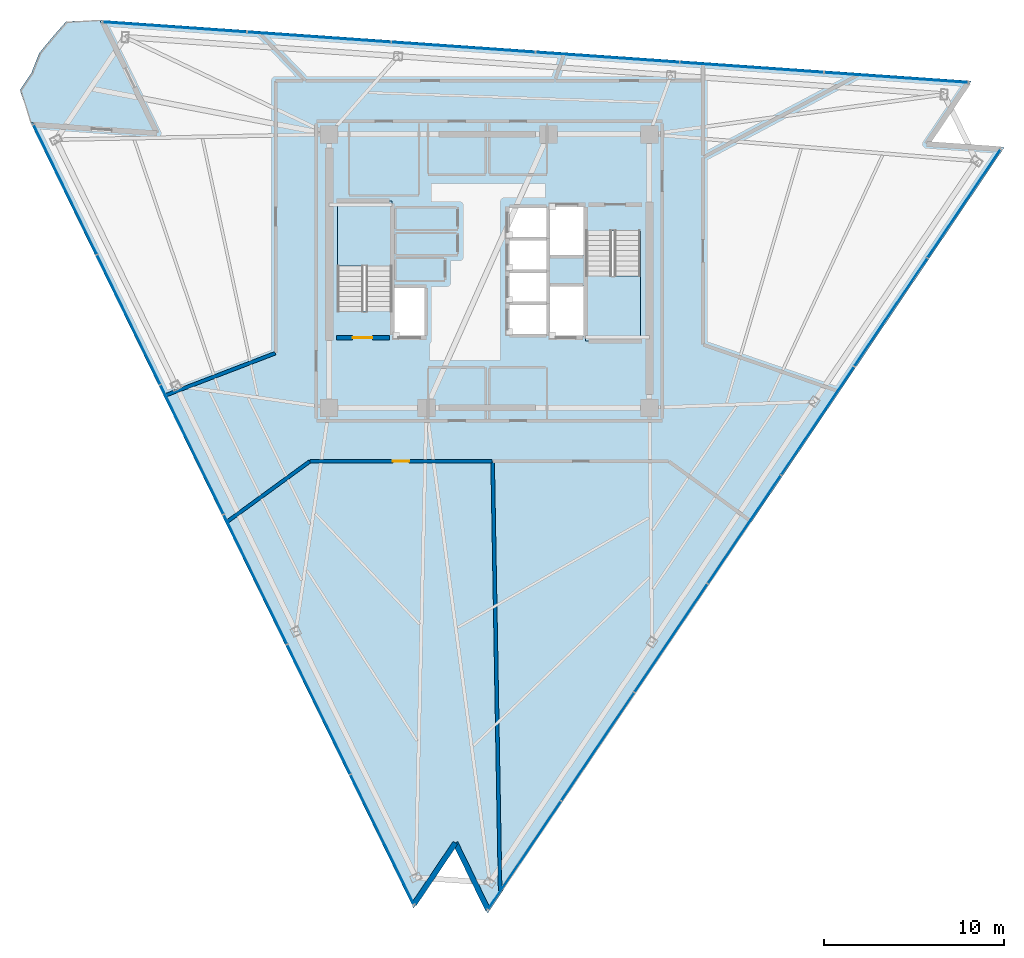
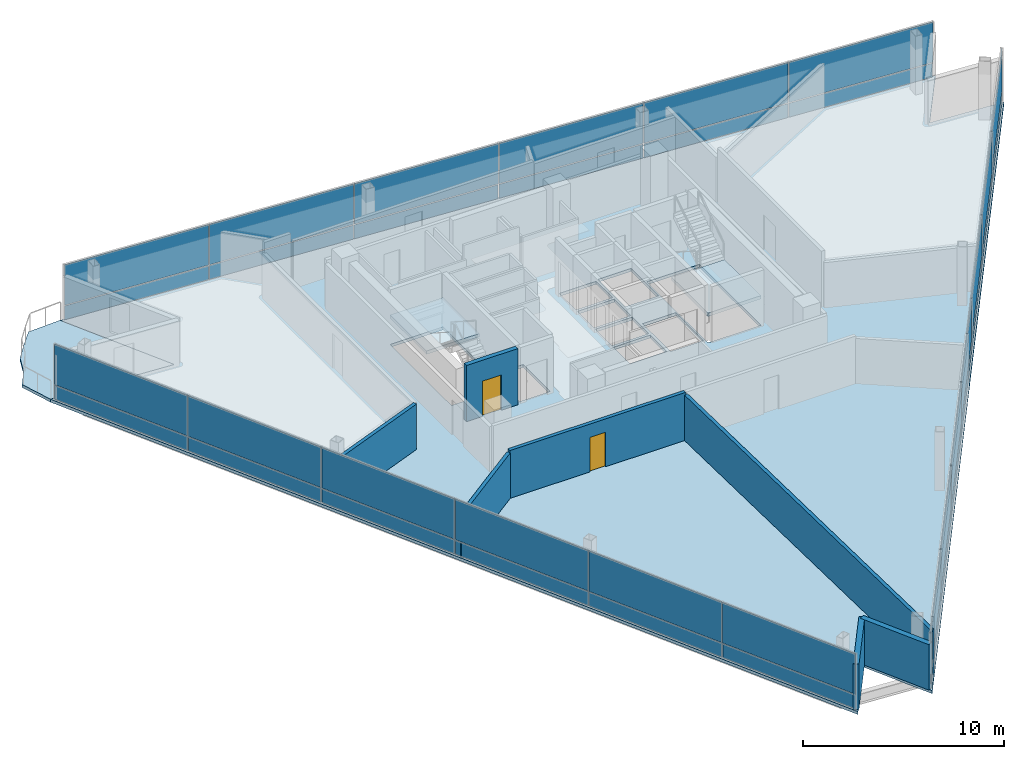
# One storey, part 8 of 14: 38 plates, 7 walls, 4 slabs, 2 doors, 2 openings, 5 elements without a shape of their own.
"""IFC4 building model written with IfcOpenShell, lengths in metres."""

from ifc_helpers import new_model, si_unit, direction, frame, frame_2d, origin, origin_2d, place, context, subcontext, project, spatial, polyline, rectangle, outline, extrude, material, layer, layer_set, type_object, element, fill, aggregate, save


model = new_model("IFC4")

# Units and contexts
model_context = context("Model", 3, precision=1e-05, world=origin(), true_north=direction((0.0, 1.0)))
body_context = subcontext(model_context, "Body", "Model", "MODEL_VIEW")
ifc_project = project(units=[si_unit("LENGTHUNIT", "METRE"), si_unit("AREAUNIT", "SQUARE_METRE"), si_unit("VOLUMEUNIT", "CUBIC_METRE"), si_unit("PLANEANGLEUNIT", "RADIAN"), si_unit("MASSUNIT", "GRAM", prefix="KILO")], contexts=[model_context])

# Site, building, storey
site_placement = place(None, origin())
site = spatial("IfcSite", under=ifc_project, at=site_placement, CompositionType="ELEMENT")
building_placement = place(site_placement, origin())
building = spatial("IfcBuilding", under=site, at=building_placement, Name="Tharavind Bronze Gate", CompositionType="ELEMENT")
storey_placement = place(building_placement, frame((0.0, 0.0, 241.449951171875)))
storey = spatial("IfcBuildingStorey", under=building, at=storey_placement, Name="L62", CompositionType="ELEMENT", Elevation=241.449951171875)

# Curtain wall, plates
ifc_material_1 = material(Name="Anodised Bronze Aluminium", Category="aluminium")
ifc_layer_1 = layer(ifc_material_1, 0.219970703125)
ifc_layer_set_1 = layer_set([ifc_layer_1], Name="Anodised Bronze Aluminium")
curtain_wall_type = type_object("IfcCurtainWallType", Name="UNITISED CURTAIN WALL UPPER OFFICE", PredefinedType="USERDEFINED", material=ifc_layer_set_1)
curtain_wall_1_placement = place(storey_placement, origin())
curtain_wall_1 = element("IfcCurtainWall", 1, at=curtain_wall_1_placement, inside=storey, type_object=curtain_wall_type, Name="L62 unitised curtain wall upper office CW-L62-S1", ObjectType="UNITISED CURTAIN WALL", PredefinedType="USERDEFINED")
ifc_material_2 = material(Name="Patinated Bronze Alloy Sheet", Category="bronze")
ifc_layer_2 = layer(ifc_material_2, 0.01611328125)
ifc_layer_set_2 = layer_set([ifc_layer_2], Name="Patinated Bronze Alloy Sheet")
plate_type_1 = type_object("IfcPlateType", Name="BRONZE SPANDREL CLADDING PANEL 16", PredefinedType="CURTAIN_PANEL", material=ifc_layer_set_2)
plate_1_placement = place(storey_placement, frame((-23.5751953125, 4.5283203125, 0.0263671875), z_axis=(0.0, 0.0, 1.0), x_axis=(0.438371146789, -0.898794046299, 0.0)))
plate_1 = element("IfcPlate", 2, at=plate_1_placement, type_object=plate_type_1, Name="CW-L62-S1 bronze spandrel panel 1", PredefinedType="CURTAIN_PANEL", context=body_context, shape_type="SweptSolid", body=[
    extrude(rectangle(XDim=7.985107421875, YDim=0.01611328125, at=origin_2d()), origin(), (0.0, 0.0, 1.0), 0.846923828125),
])
plate_2_placement = place(storey_placement, frame((-20.051513671875, -2.696044921875, 0.0263671875), z_axis=(0.0, 0.0, 1.0), x_axis=(0.438371146789, -0.898794046299, 0.0)))
plate_2 = element("IfcPlate", 3, at=plate_2_placement, type_object=plate_type_1, Name="CW-L62-S1 bronze spandrel panel 2", PredefinedType="CURTAIN_PANEL", context=body_context, shape_type="SweptSolid", body=[
    extrude(rectangle(XDim=7.985107421875, YDim=0.01611328125, at=origin_2d()), origin(), (0.0, 0.0, 1.0), 0.846923828125),
])
plate_3_placement = place(storey_placement, frame((-16.528076171875, -9.920654296875, 0.0263671875), z_axis=(0.0, 0.0, 1.0), x_axis=(0.438371146789, -0.898794046299, 0.0)))
plate_3 = element("IfcPlate", 4, at=plate_3_placement, type_object=plate_type_1, Name="CW-L62-S1 bronze spandrel panel 3", PredefinedType="CURTAIN_PANEL", context=body_context, shape_type="SweptSolid", body=[
    extrude(rectangle(XDim=7.985107421875, YDim=0.01611328125, at=origin_2d()), origin(), (0.0, 0.0, 1.0), 0.846923828125),
])
plate_4_placement = place(storey_placement, frame((-13.00439453125, -17.145263671875, 0.0263671875), z_axis=(0.0, 0.0, 1.0), x_axis=(0.438371146789, -0.898794046299, 0.0)))
plate_4 = element("IfcPlate", 5, at=plate_4_placement, type_object=plate_type_1, Name="CW-L62-S1 bronze spandrel panel 4", PredefinedType="CURTAIN_PANEL", context=body_context, shape_type="SweptSolid", body=[
    extrude(rectangle(XDim=7.985107421875, YDim=0.01611328125, at=origin_2d()), origin(), (0.0, 0.0, 1.0), 0.846923828125),
])
plate_5_placement = place(storey_placement, frame((-9.480712890625, -24.36962890625, 0.0263671875), z_axis=(0.0, 0.0, 1.0), x_axis=(0.438371146789, -0.898794046299, 0.0)))
plate_5 = element("IfcPlate", 6, at=plate_5_placement, type_object=plate_type_1, Name="CW-L62-S1 bronze spandrel panel 5", PredefinedType="CURTAIN_PANEL", context=body_context, shape_type="SweptSolid", body=[
    extrude(rectangle(XDim=7.985107421875, YDim=0.01611328125, at=origin_2d()), origin(), (0.0, 0.0, 1.0), 0.846923828125),
])
plate_6_placement = place(storey_placement, frame((-5.95703125, -31.59423828125, 0.0263671875), z_axis=(0.0, 0.0, 1.0), x_axis=(0.438371146789, -0.898794046299, 0.0)))
plate_6 = element("IfcPlate", 7, at=plate_6_placement, type_object=plate_type_1, Name="CW-L62-S1 bronze spandrel panel 6", PredefinedType="CURTAIN_PANEL", context=body_context, shape_type="SweptSolid", body=[
    extrude(rectangle(XDim=7.985107421875, YDim=0.01611328125, at=origin_2d()), origin(), (0.0, 0.0, 1.0), 0.846923828125),
])

curtain_wall_2_placement = place(storey_placement, origin())
curtain_wall_2 = element("IfcCurtainWall", 8, at=curtain_wall_2_placement, inside=storey, type_object=curtain_wall_type, Name="L62 unitised curtain wall upper office CW-L62-S2", ObjectType="UNITISED CURTAIN WALL", PredefinedType="USERDEFINED")
plate_7_placement = place(storey_placement, frame((1.958984375, -32.4755859375, 0.0263671875), z_axis=(0.0, 0.0, 1.0), x_axis=(0.559192903471, 0.829037572555, 0.0)))
plate_7 = element("IfcPlate", 9, at=plate_7_placement, type_object=plate_type_1, Name="CW-L62-S2 bronze spandrel panel 1", PredefinedType="CURTAIN_PANEL", context=body_context, shape_type="SweptSolid", body=[
    extrude(rectangle(XDim=7.22998046875, YDim=0.01611328125, at=origin_2d()), origin(), (0.0, 0.0, 1.0), 0.846923828125),
])
plate_8_placement = place(storey_placement, frame((6.031494140625, -26.437744140625, 0.0263671875), z_axis=(0.0, 0.0, 1.0), x_axis=(0.559192903471, 0.829037572555, 0.0)))
plate_8 = element("IfcPlate", 10, at=plate_8_placement, type_object=plate_type_1, Name="CW-L62-S2 bronze spandrel panel 2", PredefinedType="CURTAIN_PANEL", context=body_context, shape_type="SweptSolid", body=[
    extrude(rectangle(XDim=7.22998046875, YDim=0.01611328125, at=origin_2d()), origin(), (0.0, 0.0, 1.0), 0.846923828125),
])
plate_9_placement = place(storey_placement, frame((10.10400390625, -20.39990234375, 0.0263671875), z_axis=(0.0, 0.0, 1.0), x_axis=(0.559192903471, 0.829037572555, 0.0)))
plate_9 = element("IfcPlate", 11, at=plate_9_placement, type_object=plate_type_1, Name="CW-L62-S2 bronze spandrel panel 3", PredefinedType="CURTAIN_PANEL", context=body_context, shape_type="SweptSolid", body=[
    extrude(rectangle(XDim=7.22998046875, YDim=0.01611328125, at=origin_2d()), origin(), (0.0, 0.0, 1.0), 0.846923828125),
])
plate_10_placement = place(storey_placement, frame((14.176513671875, -14.3623046875, 0.0263671875), z_axis=(0.0, 0.0, 1.0), x_axis=(0.559192903471, 0.829037572555, 0.0)))
plate_10 = element("IfcPlate", 12, at=plate_10_placement, type_object=plate_type_1, Name="CW-L62-S2 bronze spandrel panel 4", PredefinedType="CURTAIN_PANEL", context=body_context, shape_type="SweptSolid", body=[
    extrude(rectangle(XDim=7.22998046875, YDim=0.01611328125, at=origin_2d()), origin(), (0.0, 0.0, 1.0), 0.846923828125),
])
plate_11_placement = place(storey_placement, frame((18.2490234375, -8.324462890625, 0.0263671875), z_axis=(0.0, 0.0, 1.0), x_axis=(0.559192903471, 0.829037572555, 0.0)))
plate_11 = element("IfcPlate", 13, at=plate_11_placement, type_object=plate_type_1, Name="CW-L62-S2 bronze spandrel panel 5", PredefinedType="CURTAIN_PANEL", context=body_context, shape_type="SweptSolid", body=[
    extrude(rectangle(XDim=7.22998046875, YDim=0.01611328125, at=origin_2d()), origin(), (0.0, 0.0, 1.0), 0.846923828125),
])
plate_12_placement = place(storey_placement, frame((22.321533203125, -2.28662109375, 0.0263671875), z_axis=(0.0, 0.0, 1.0), x_axis=(0.559192903471, 0.829037572555, 0.0)))
plate_12 = element("IfcPlate", 14, at=plate_12_placement, type_object=plate_type_1, Name="CW-L62-S2 bronze spandrel panel 6", PredefinedType="CURTAIN_PANEL", context=body_context, shape_type="SweptSolid", body=[
    extrude(rectangle(XDim=7.22998046875, YDim=0.01611328125, at=origin_2d()), origin(), (0.0, 0.0, 1.0), 0.846923828125),
])
plate_13_placement = place(storey_placement, frame((26.39404296875, 3.751220703125, 0.0263671875), z_axis=(0.0, 0.0, 1.0), x_axis=(0.559192903471, 0.829037572555, 0.0)))
plate_13 = element("IfcPlate", 15, at=plate_13_placement, type_object=plate_type_1, Name="CW-L62-S2 bronze spandrel panel 7", PredefinedType="CURTAIN_PANEL", context=body_context, shape_type="SweptSolid", body=[
    extrude(rectangle(XDim=7.22998046875, YDim=0.01611328125, at=origin_2d()), origin(), (0.0, 0.0, 1.0), 0.846923828125),
])

curtain_wall_3_placement = place(storey_placement, origin())
curtain_wall_3 = element("IfcCurtainWall", 16, at=curtain_wall_3_placement, inside=storey, type_object=curtain_wall_type, Name="L62 unitised curtain wall upper office CW-L62-S3", ObjectType="UNITISED CURTAIN WALL", PredefinedType="USERDEFINED")
plate_14_placement = place(storey_placement, frame((22.611572265625, 10.760498046875, 0.0263671875), z_axis=(0.0, 0.0, 1.0), x_axis=(-0.99756392851, 0.069758214822, 0.0)))
plate_14 = element("IfcPlate", 17, at=plate_14_placement, type_object=plate_type_1, Name="CW-L62-S3 bronze spandrel panel 1", PredefinedType="CURTAIN_PANEL", context=body_context, shape_type="SweptSolid", body=[
    extrude(rectangle(XDim=7.985107421875, YDim=0.01611328125, at=origin_2d()), origin(), (0.0, 0.0, 1.0), 0.846923828125),
])
plate_15_placement = place(storey_placement, frame((14.593017578125, 11.3212890625, 0.0263671875), z_axis=(0.0, 0.0, 1.0), x_axis=(-0.99756392851, 0.069758214822, 0.0)))
plate_15 = element("IfcPlate", 18, at=plate_15_placement, type_object=plate_type_1, Name="CW-L62-S3 bronze spandrel panel 2", PredefinedType="CURTAIN_PANEL", context=body_context, shape_type="SweptSolid", body=[
    extrude(rectangle(XDim=7.985107421875, YDim=0.01611328125, at=origin_2d()), origin(), (0.0, 0.0, 1.0), 0.846923828125),
])
plate_16_placement = place(storey_placement, frame((6.57470703125, 11.882080078125, 0.0263671875), z_axis=(0.0, 0.0, 1.0), x_axis=(-0.99756392851, 0.069758214822, 0.0)))
plate_16 = element("IfcPlate", 19, at=plate_16_placement, type_object=plate_type_1, Name="CW-L62-S3 bronze spandrel panel 3", PredefinedType="CURTAIN_PANEL", context=body_context, shape_type="SweptSolid", body=[
    extrude(rectangle(XDim=7.985107421875, YDim=0.01611328125, at=origin_2d()), origin(), (0.0, 0.0, 1.0), 0.846923828125),
])
plate_17_placement = place(storey_placement, frame((-1.44384765625, 12.442626953125, 0.0263671875), z_axis=(0.0, 0.0, 1.0), x_axis=(-0.99756392851, 0.069758214822, 0.0)))
plate_17 = element("IfcPlate", 20, at=plate_17_placement, type_object=plate_type_1, Name="CW-L62-S3 bronze spandrel panel 4", PredefinedType="CURTAIN_PANEL", context=body_context, shape_type="SweptSolid", body=[
    extrude(rectangle(XDim=7.985107421875, YDim=0.01611328125, at=origin_2d()), origin(), (0.0, 0.0, 1.0), 0.846923828125),
])
plate_18_placement = place(storey_placement, frame((-9.462158203125, 13.00341796875, 0.0263671875), z_axis=(0.0, 0.0, 1.0), x_axis=(-0.99756392851, 0.069758214822, 0.0)))
plate_18 = element("IfcPlate", 21, at=plate_18_placement, type_object=plate_type_1, Name="CW-L62-S3 bronze spandrel panel 5", PredefinedType="CURTAIN_PANEL", context=body_context, shape_type="SweptSolid", body=[
    extrude(rectangle(XDim=7.985107421875, YDim=0.01611328125, at=origin_2d()), origin(), (0.0, 0.0, 1.0), 0.846923828125),
])
plate_19_placement = place(storey_placement, frame((-17.480712890625, 13.564208984375, 0.0263671875), z_axis=(0.0, 0.0, 1.0), x_axis=(-0.99756392851, 0.069758214822, 0.0)))
plate_19 = element("IfcPlate", 22, at=plate_19_placement, type_object=plate_type_1, Name="CW-L62-S3 bronze spandrel panel 6", PredefinedType="CURTAIN_PANEL", context=body_context, shape_type="SweptSolid", body=[
    extrude(rectangle(XDim=7.985107421875, YDim=0.01611328125, at=origin_2d()), origin(), (0.0, 0.0, 1.0), 0.846923828125),
])

# Slab
ifc_material_3 = material(Name="Concrete C40/50", Category="concrete")
ifc_layer_3 = layer(ifc_material_3, 0.179931640625)
ifc_layer_set_3 = layer_set([ifc_layer_3], Name="Concrete C40/50")
slab_type_1 = type_object("IfcSlabType", Name="EXTERIOR BALCONY SLAB 180", PredefinedType="FLOOR", material=ifc_layer_set_3)
slab_1_placement = place(storey_placement, frame((0.0, 0.0, -0.179931640625)))
element("IfcSlab", 23, at=slab_1_placement, inside=storey, type_object=slab_type_1, Name="L62 northeast tree balcony slab", PredefinedType="FLOOR", context=body_context, shape_type="SweptSolid", body=[
    extrude(outline(polyline([(-23.523193359375, 13.869873046875), (-24.287109375, 13.001953125), (-25.021484375, 12.114013671875), (-25.447021484375, 11.01806640625), (-26.088134765625, 10.0673828125), (-25.5029296875, 8.25244140625), (-18.6396484375, 7.772705078125), (-21.65576171875, 13.956298828125), (-23.523193359375, 13.869873046875)])), origin(), (0.0, 0.0, 1.0), 0.179931640625),
])

# Stair, slab
stair_type = type_object("IfcStairType", Name="CORE HALF TURN STAIR 1450", PredefinedType="HALF_TURN_STAIR", material=ifc_material_3)
stair_1_placement = place(storey_placement, origin())
stair_1 = element("IfcStair", 24, at=stair_1_placement, inside=storey, type_object=stair_type, Name="L62 Protected Exit Stair ST1", PredefinedType="HALF_TURN_STAIR")
ifc_layer_4 = layer(ifc_material_3, 0.199951171875)
ifc_layer_set_4 = layer_set([ifc_layer_4], Name="Concrete C40/50")
slab_type_2 = type_object("IfcSlabType", Name="STAIR LANDING SLAB 200", PredefinedType="LANDING", material=ifc_layer_set_4)
slab_2_placement = place(storey_placement, frame((0.0, 0.0, 1.60009765625)))
slab_2 = element("IfcSlab", 25, at=slab_2_placement, type_object=slab_type_2, Name="ST1 landing 1", PredefinedType="LANDING", context=body_context, shape_type="SweptSolid", body=[
    extrude(outline(polyline([(-5.39990234375, 0.27001953125), (-5.39990234375, 3.89990234375), (-8.449951171875, 3.89990234375), (-8.449951171875, 0.27001953125), (-5.39990234375, 0.27001953125)])), origin(), (0.0, 0.0, 1.0), 0.199951171875),
])
aggregate(stair_1, [slab_2])

stair_2_placement = place(storey_placement, origin())
stair_2 = element("IfcStair", 26, at=stair_2_placement, inside=storey, type_object=stair_type, Name="L62 Protected Exit Stair ST2", PredefinedType="HALF_TURN_STAIR")
slab_3_placement = place(storey_placement, frame((0.0, 0.0, 1.60009765625)))
slab_3 = element("IfcSlab", 27, at=slab_3_placement, type_object=slab_type_2, Name="ST2 landing 1", PredefinedType="LANDING", context=body_context, shape_type="SweptSolid", body=[
    extrude(outline(polyline([(5.35009765625, -0.27001953125), (5.35009765625, -3.89990234375), (8.39990234375, -3.89990234375), (8.39990234375, -0.27001953125), (5.35009765625, -0.27001953125)])), origin(), (0.0, 0.0, 1.0), 0.199951171875),
])
aggregate(stair_2, [slab_3])

# Slab
ifc_layer_5 = layer(ifc_material_3, 0.179931640625)
ifc_layer_set_5 = layer_set([ifc_layer_5], Name="Concrete C40/50")
slab_type_3 = type_object("IfcSlabType", Name="STRUCTURAL FLOOR SLAB 180", PredefinedType="FLOOR", material=ifc_layer_set_5)
slab_4_placement = place(storey_placement, frame((0.0, 0.0, -0.179931640625)))
element("IfcSlab", 28, at=slab_4_placement, inside=storey, type_object=slab_type_3, Name="L62 main structural floor slab", PredefinedType="FLOOR", context=body_context, shape_type="SweptSolid", body=[
    extrude(outline(polyline([(-21.65576171875, 13.956298828125), (-18.6396484375, 7.772705078125), (-25.5029296875, 8.25244140625), (-4.209228515625, -35.406005859375), (-1.90087890625, -31.983642578125), (-0.09130859375, -35.69384765625), (28.610107421875, 6.857666015625), (24.4921875, 7.145751953125), (26.800537109375, 10.56787109375), (-21.65576171875, 13.956298828125)]), holes=[polyline([(-5.39990234375, -2.215087890625), (-5.39990234375, 3.89990234375), (-8.449951171875, 3.89990234375), (-8.449951171875, -2.215087890625), (-5.39990234375, -2.215087890625)]), polyline([(5.35009765625, 2.215087890625), (5.35009765625, -3.89990234375), (8.39990234375, -3.89990234375), (8.39990234375, 2.215087890625), (5.35009765625, 2.215087890625)]), polyline([(1.080078125, -3.52001953125), (3.199951171875, -3.52001953125), (3.199951171875, -1.8798828125), (1.080078125, -1.8798828125), (1.080078125, -3.52001953125)]), polyline([(1.080078125, -1.719970703125), (3.199951171875, -1.719970703125), (3.199951171875, -0.080078125), (1.080078125, -0.080078125), (1.080078125, -1.719970703125)]), polyline([(1.080078125, 0.080078125), (3.199951171875, 0.080078125), (3.199951171875, 1.719970703125), (1.080078125, 1.719970703125), (1.080078125, 0.080078125)]), polyline([(1.080078125, 1.8798828125), (3.199951171875, 1.8798828125), (3.199951171875, 3.52001953125), (1.080078125, 3.52001953125), (1.080078125, 1.8798828125)]), polyline([(-5.320068359375, -3.6201171875), (-3.580078125, -3.6201171875), (-3.580078125, -0.929931640625), (-5.320068359375, -0.929931640625), (-5.320068359375, -3.6201171875)]), polyline([(3.360107421875, 0.8798828125), (5.27001953125, 0.8798828125), (5.27001953125, 3.6201171875), (3.360107421875, 3.6201171875), (3.360107421875, 0.8798828125)]), polyline([(3.360107421875, -3.6201171875), (5.27001953125, -3.6201171875), (5.27001953125, -0.830078125), (3.360107421875, -0.830078125), (3.360107421875, -3.6201171875)])]), origin(), (0.0, 0.0, 1.0), 0.179931640625),
])

# Plate
ifc_material_4 = material(Name="Triple Solar Control Glazing", Category="glass")
ifc_layer_6 = layer(ifc_material_4, 0.0439453125)
ifc_layer_set_6 = layer_set([ifc_layer_6], Name="Triple Solar Control Glazing")
plate_type_2 = type_object("IfcPlateType", Name="TRIPLE GLAZED FACADE PANEL 44", PredefinedType="CURTAIN_PANEL", material=ifc_layer_set_6)
plate_20_placement = place(storey_placement, frame((-23.5751953125, 4.5283203125, 0.9267578125), z_axis=(0.0, 0.0, 1.0), x_axis=(0.438371146789, -0.898794046299, 0.0)))
plate_20 = element("IfcPlate", 29, at=plate_20_placement, type_object=plate_type_2, Name="CW-L62-S1 vision glazing panel 1", PredefinedType="CURTAIN_PANEL", context=body_context, shape_type="SweptSolid", body=[
    extrude(rectangle(XDim=7.985107421875, YDim=0.0439453125, at=origin_2d()), origin(), (0.0, 0.0, 1.0), 2.467041015625),
])

plate_21_placement = place(storey_placement, frame((-20.051513671875, -2.696044921875, 0.9267578125), z_axis=(0.0, 0.0, 1.0), x_axis=(0.438371146789, -0.898794046299, 0.0)))
plate_21 = element("IfcPlate", 30, at=plate_21_placement, type_object=plate_type_2, Name="CW-L62-S1 vision glazing panel 2", PredefinedType="CURTAIN_PANEL", context=body_context, shape_type="SweptSolid", body=[
    extrude(rectangle(XDim=7.985107421875, YDim=0.0439453125, at=origin_2d()), origin(), (0.0, 0.0, 1.0), 2.467041015625),
])

plate_22_placement = place(storey_placement, frame((-16.528076171875, -9.920654296875, 0.9267578125), z_axis=(0.0, 0.0, 1.0), x_axis=(0.438371146789, -0.898794046299, 0.0)))
plate_22 = element("IfcPlate", 31, at=plate_22_placement, type_object=plate_type_2, Name="CW-L62-S1 vision glazing panel 3", PredefinedType="CURTAIN_PANEL", context=body_context, shape_type="SweptSolid", body=[
    extrude(rectangle(XDim=7.985107421875, YDim=0.0439453125, at=origin_2d()), origin(), (0.0, 0.0, 1.0), 2.467041015625),
])

plate_23_placement = place(storey_placement, frame((-13.00439453125, -17.145263671875, 0.9267578125), z_axis=(0.0, 0.0, 1.0), x_axis=(0.438371146789, -0.898794046299, 0.0)))
plate_23 = element("IfcPlate", 32, at=plate_23_placement, type_object=plate_type_2, Name="CW-L62-S1 vision glazing panel 4", PredefinedType="CURTAIN_PANEL", context=body_context, shape_type="SweptSolid", body=[
    extrude(rectangle(XDim=7.985107421875, YDim=0.0439453125, at=origin_2d()), origin(), (0.0, 0.0, 1.0), 2.467041015625),
])

plate_24_placement = place(storey_placement, frame((-9.480712890625, -24.36962890625, 0.9267578125), z_axis=(0.0, 0.0, 1.0), x_axis=(0.438371146789, -0.898794046299, 0.0)))
plate_24 = element("IfcPlate", 33, at=plate_24_placement, type_object=plate_type_2, Name="CW-L62-S1 vision glazing panel 5", PredefinedType="CURTAIN_PANEL", context=body_context, shape_type="SweptSolid", body=[
    extrude(rectangle(XDim=7.985107421875, YDim=0.0439453125, at=origin_2d()), origin(), (0.0, 0.0, 1.0), 2.467041015625),
])

plate_25_placement = place(storey_placement, frame((-5.95703125, -31.59423828125, 0.9267578125), z_axis=(0.0, 0.0, 1.0), x_axis=(0.438371146789, -0.898794046299, 0.0)))
plate_25 = element("IfcPlate", 34, at=plate_25_placement, type_object=plate_type_2, Name="CW-L62-S1 vision glazing panel 6", PredefinedType="CURTAIN_PANEL", context=body_context, shape_type="SweptSolid", body=[
    extrude(rectangle(XDim=7.985107421875, YDim=0.0439453125, at=origin_2d()), origin(), (0.0, 0.0, 1.0), 2.467041015625),
])

aggregate(curtain_wall_1, [plate_1, plate_20, plate_2, plate_21, plate_3, plate_22, plate_4, plate_23, plate_5, plate_24, plate_6, plate_25])

plate_26_placement = place(storey_placement, frame((1.958984375, -32.4755859375, 0.9267578125), z_axis=(0.0, 0.0, 1.0), x_axis=(0.559192903471, 0.829037572555, 0.0)))
plate_26 = element("IfcPlate", 35, at=plate_26_placement, type_object=plate_type_2, Name="CW-L62-S2 vision glazing panel 1", PredefinedType="CURTAIN_PANEL", context=body_context, shape_type="SweptSolid", body=[
    extrude(rectangle(XDim=7.22998046875, YDim=0.0439453125, at=origin_2d()), origin(), (0.0, 0.0, 1.0), 2.467041015625),
])

plate_27_placement = place(storey_placement, frame((6.031494140625, -26.437744140625, 0.9267578125), z_axis=(0.0, 0.0, 1.0), x_axis=(0.559192903471, 0.829037572555, 0.0)))
plate_27 = element("IfcPlate", 36, at=plate_27_placement, type_object=plate_type_2, Name="CW-L62-S2 vision glazing panel 2", PredefinedType="CURTAIN_PANEL", context=body_context, shape_type="SweptSolid", body=[
    extrude(rectangle(XDim=7.22998046875, YDim=0.0439453125, at=origin_2d()), origin(), (0.0, 0.0, 1.0), 2.467041015625),
])

plate_28_placement = place(storey_placement, frame((10.10400390625, -20.39990234375, 0.9267578125), z_axis=(0.0, 0.0, 1.0), x_axis=(0.559192903471, 0.829037572555, 0.0)))
plate_28 = element("IfcPlate", 37, at=plate_28_placement, type_object=plate_type_2, Name="CW-L62-S2 vision glazing panel 3", PredefinedType="CURTAIN_PANEL", context=body_context, shape_type="SweptSolid", body=[
    extrude(rectangle(XDim=7.22998046875, YDim=0.0439453125, at=origin_2d()), origin(), (0.0, 0.0, 1.0), 2.467041015625),
])

plate_29_placement = place(storey_placement, frame((14.176513671875, -14.3623046875, 0.9267578125), z_axis=(0.0, 0.0, 1.0), x_axis=(0.559192903471, 0.829037572555, 0.0)))
plate_29 = element("IfcPlate", 38, at=plate_29_placement, type_object=plate_type_2, Name="CW-L62-S2 vision glazing panel 4", PredefinedType="CURTAIN_PANEL", context=body_context, shape_type="SweptSolid", body=[
    extrude(rectangle(XDim=7.22998046875, YDim=0.0439453125, at=origin_2d()), origin(), (0.0, 0.0, 1.0), 2.467041015625),
])

plate_30_placement = place(storey_placement, frame((18.2490234375, -8.324462890625, 0.9267578125), z_axis=(0.0, 0.0, 1.0), x_axis=(0.559192903471, 0.829037572555, 0.0)))
plate_30 = element("IfcPlate", 39, at=plate_30_placement, type_object=plate_type_2, Name="CW-L62-S2 vision glazing panel 5", PredefinedType="CURTAIN_PANEL", context=body_context, shape_type="SweptSolid", body=[
    extrude(rectangle(XDim=7.22998046875, YDim=0.0439453125, at=origin_2d()), origin(), (0.0, 0.0, 1.0), 2.467041015625),
])

plate_31_placement = place(storey_placement, frame((22.321533203125, -2.28662109375, 0.9267578125), z_axis=(0.0, 0.0, 1.0), x_axis=(0.559192903471, 0.829037572555, 0.0)))
plate_31 = element("IfcPlate", 40, at=plate_31_placement, type_object=plate_type_2, Name="CW-L62-S2 vision glazing panel 6", PredefinedType="CURTAIN_PANEL", context=body_context, shape_type="SweptSolid", body=[
    extrude(rectangle(XDim=7.22998046875, YDim=0.0439453125, at=origin_2d()), origin(), (0.0, 0.0, 1.0), 2.467041015625),
])

plate_32_placement = place(storey_placement, frame((26.39404296875, 3.751220703125, 0.9267578125), z_axis=(0.0, 0.0, 1.0), x_axis=(0.559192903471, 0.829037572555, 0.0)))
plate_32 = element("IfcPlate", 41, at=plate_32_placement, type_object=plate_type_2, Name="CW-L62-S2 vision glazing panel 7", PredefinedType="CURTAIN_PANEL", context=body_context, shape_type="SweptSolid", body=[
    extrude(rectangle(XDim=7.22998046875, YDim=0.0439453125, at=origin_2d()), origin(), (0.0, 0.0, 1.0), 2.467041015625),
])

aggregate(curtain_wall_2, [plate_7, plate_26, plate_8, plate_27, plate_9, plate_28, plate_10, plate_29, plate_11, plate_30, plate_12, plate_31, plate_13, plate_32])

plate_33_placement = place(storey_placement, frame((22.611572265625, 10.760498046875, 0.9267578125), z_axis=(0.0, 0.0, 1.0), x_axis=(-0.99756392851, 0.069758214822, 0.0)))
plate_33 = element("IfcPlate", 42, at=plate_33_placement, type_object=plate_type_2, Name="CW-L62-S3 vision glazing panel 1", PredefinedType="CURTAIN_PANEL", context=body_context, shape_type="SweptSolid", body=[
    extrude(rectangle(XDim=7.985107421875, YDim=0.0439453125, at=origin_2d()), origin(), (0.0, 0.0, 1.0), 2.467041015625),
])

plate_34_placement = place(storey_placement, frame((14.593017578125, 11.3212890625, 0.9267578125), z_axis=(0.0, 0.0, 1.0), x_axis=(-0.99756392851, 0.069758214822, 0.0)))
plate_34 = element("IfcPlate", 43, at=plate_34_placement, type_object=plate_type_2, Name="CW-L62-S3 vision glazing panel 2", PredefinedType="CURTAIN_PANEL", context=body_context, shape_type="SweptSolid", body=[
    extrude(rectangle(XDim=7.985107421875, YDim=0.0439453125, at=origin_2d()), origin(), (0.0, 0.0, 1.0), 2.467041015625),
])

plate_35_placement = place(storey_placement, frame((6.57470703125, 11.882080078125, 0.9267578125), z_axis=(0.0, 0.0, 1.0), x_axis=(-0.99756392851, 0.069758214822, 0.0)))
plate_35 = element("IfcPlate", 44, at=plate_35_placement, type_object=plate_type_2, Name="CW-L62-S3 vision glazing panel 3", PredefinedType="CURTAIN_PANEL", context=body_context, shape_type="SweptSolid", body=[
    extrude(rectangle(XDim=7.985107421875, YDim=0.0439453125, at=origin_2d()), origin(), (0.0, 0.0, 1.0), 2.467041015625),
])

plate_36_placement = place(storey_placement, frame((-1.44384765625, 12.442626953125, 0.9267578125), z_axis=(0.0, 0.0, 1.0), x_axis=(-0.99756392851, 0.069758214822, 0.0)))
plate_36 = element("IfcPlate", 45, at=plate_36_placement, type_object=plate_type_2, Name="CW-L62-S3 vision glazing panel 4", PredefinedType="CURTAIN_PANEL", context=body_context, shape_type="SweptSolid", body=[
    extrude(rectangle(XDim=7.985107421875, YDim=0.0439453125, at=origin_2d()), origin(), (0.0, 0.0, 1.0), 2.467041015625),
])

plate_37_placement = place(storey_placement, frame((-9.462158203125, 13.00341796875, 0.9267578125), z_axis=(0.0, 0.0, 1.0), x_axis=(-0.99756392851, 0.069758214822, 0.0)))
plate_37 = element("IfcPlate", 46, at=plate_37_placement, type_object=plate_type_2, Name="CW-L62-S3 vision glazing panel 5", PredefinedType="CURTAIN_PANEL", context=body_context, shape_type="SweptSolid", body=[
    extrude(rectangle(XDim=7.985107421875, YDim=0.0439453125, at=origin_2d()), origin(), (0.0, 0.0, 1.0), 2.467041015625),
])

plate_38_placement = place(storey_placement, frame((-17.480712890625, 13.564208984375, 0.9267578125), z_axis=(0.0, 0.0, 1.0), x_axis=(-0.99756392851, 0.069758214822, 0.0)))
plate_38 = element("IfcPlate", 47, at=plate_38_placement, type_object=plate_type_2, Name="CW-L62-S3 vision glazing panel 6", PredefinedType="CURTAIN_PANEL", context=body_context, shape_type="SweptSolid", body=[
    extrude(rectangle(XDim=7.985107421875, YDim=0.0439453125, at=origin_2d()), origin(), (0.0, 0.0, 1.0), 2.467041015625),
])

aggregate(curtain_wall_3, [plate_14, plate_33, plate_15, plate_34, plate_16, plate_35, plate_17, plate_36, plate_18, plate_37, plate_19, plate_38])

# Walls
ifc_layer_7 = layer(ifc_material_3, 0.300048828125)
ifc_layer_set_7 = layer_set([ifc_layer_7], Name="Concrete C40/50")
wall_type_1 = type_object("IfcWallType", Name="EXTERIOR SPANDREL WALL 300", PredefinedType="STANDARD", material=ifc_layer_set_7)
wall_1_placement = place(storey_placement, frame((-4.1953125, -35.20654296875, 0.0), z_axis=(0.0, 0.0, 1.0), x_axis=(0.559182319101, 0.829044711704, 0.0)))
element("IfcWall", 48, at=wall_1_placement, inside=storey, type_object=wall_type_1, Name="L62 notch cheek wall 2A", PredefinedType="STANDARD", context=body_context, shape_type="SweptSolid", body=[
    extrude(rectangle(XDim=4.128173828125, YDim=0.300048828125, at=frame_2d((2.06396484375, 0.0))), origin(), (0.0, 0.0, 1.0), 2.76513671875),
])
wall_2_placement = place(storey_placement, frame((-1.886962890625, -31.7841796875, 0.0), z_axis=(0.0, 0.0, 1.0), x_axis=(0.438367699713, -0.898795727542, 0.0)))
element("IfcWall", 49, at=wall_2_placement, inside=storey, type_object=wall_type_1, Name="L62 notch cheek wall 2B", PredefinedType="STANDARD", context=body_context, shape_type="SweptSolid", body=[
    extrude(rectangle(XDim=4.1279296875, YDim=0.300048828125, at=frame_2d((2.06396484375, 0.0))), origin(), (0.0, 0.0, 1.0), 2.76513671875),
])
ifc_material_5 = material(Name="Aerated Concrete Block", Category="concrete")
ifc_layer_8 = layer(ifc_material_5, 0.199951171875)
ifc_layer_set_8 = layer_set([ifc_layer_8], Name="Aerated Concrete Block")
wall_type_2 = type_object("IfcWallType", Name="FIRE RATED PARTITION 200", PredefinedType="PARTITIONING", material=ifc_layer_set_8)
wall_3_placement = place(storey_placement, frame((0.60205078125, -34.4873046875, 0.0), z_axis=(0.0, 0.0, 1.0), x_axis=(-0.017457980956, 0.999847597837, 0.0)))
element("IfcWall", 50, at=wall_3_placement, inside=storey, type_object=wall_type_2, Name="L62 Public Restrooms Block partition", PredefinedType="PARTITIONING", context=body_context, shape_type="SweptSolid", body=[
    extrude(rectangle(XDim=23.885498046875, YDim=0.199951171875, at=frame_2d((11.94287109375, 0.0))), origin(), (0.0, 0.0, 1.0), 2.76513671875),
])
wall_4_placement = place(storey_placement, frame((-11.89599609375, -4.56640625, 0.0), z_axis=(0.0, 0.0, 1.0), x_axis=(-0.933585017774, -0.358355988632, 0.0)))
element("IfcWall", 51, at=wall_4_placement, inside=storey, type_object=wall_type_2, Name="L62 Dispute Resolution Office partition", PredefinedType="PARTITIONING", context=body_context, shape_type="SweptSolid", body=[
    extrude(rectangle(XDim=6.512451171875, YDim=0.199951171875, at=frame_2d((3.25634765625, 0.0))), origin(), (0.0, 0.0, 1.0), 2.76513671875),
])
wall_5_placement = place(storey_placement, frame((-14.57177734375, -13.931396484375, 0.0), z_axis=(0.0, 0.0, 1.0), x_axis=(0.807835213642, 0.589408404759, 0.0)))
element("IfcWall", 52, at=wall_5_placement, inside=storey, type_object=wall_type_2, Name="L62 Law Tea Pantry partition", PredefinedType="PARTITIONING", context=body_context, shape_type="SweptSolid", body=[
    extrude(rectangle(XDim=5.677978515625, YDim=0.199951171875, at=frame_2d((2.8388671875, 0.0))), origin(), (0.0, 0.0, 1.0), 2.76513671875),
])

# Wall, opening, door
wall_6_placement = place(storey_placement, frame((-9.969970703125, -10.580078125, 0.0), z_axis=(0.0, 0.0, 1.0), x_axis=(1.0, 0.0, 0.0)))
wall_6 = element("IfcWall", 53, at=wall_6_placement, inside=storey, type_object=wall_type_2, Name="L62 Law Tea Pantry partition", PredefinedType="PARTITIONING", context=body_context, shape_type="SweptSolid", body=[
    extrude(rectangle(XDim=10.130126953125, YDim=0.199951171875, at=frame_2d((5.06494140625, 0.0))), origin(), (0.0, 0.0, 1.0), 2.9150390625),
])
opening_1_placement = place(wall_6_placement, frame((4.614990234375, 0.0, 0.0)))
opening_1 = element("IfcOpeningElement", 54, at=opening_1_placement, cuts=wall_6, Name="Opening ID07", PredefinedType="OPENING", context=body_context, shape_type="SweptSolid", body=[
    extrude(rectangle(XDim=0.89990234375, YDim=2.10009765625, at=frame_2d((0.449951171875, 1.050048828125))), frame((0.0, 0.11009765625, 0.0), z_axis=(0.0, -1.0, 0.0), x_axis=(1.0, 0.0, 0.0)), (0.0, 0.0, 1.0), 0.219951171875),
])
ifc_material_6 = material(Name="Galvanised Fire Steel", Category="steel")
door_type_1 = type_object("IfcDoorType", Name="PLANT AND RISER FIRE DOOR 900X2100", OperationType="SINGLE_SWING_LEFT", PredefinedType="DOOR", material=ifc_material_6)
door_1_placement = place(opening_1_placement, origin())
door_1 = element("IfcDoor", 55, at=door_1_placement, inside=storey, type_object=door_type_1, Name="L62 Law Tea Pantry door", OperationType="SINGLE_SWING_LEFT", OverallHeight=2.10009765625, OverallWidth=0.89990234375, PredefinedType="DOOR", context=body_context, shape_type="SweptSolid", body=[
    extrude(rectangle(XDim=0.89990234375, YDim=2.10009765625, at=frame_2d((0.449951171875, 1.050048828125))), frame((0.0, 0.02490234375, 0.0), z_axis=(0.0, -1.0, 0.0), x_axis=(1.0, 0.0, 0.0)), (0.0, 0.0, 1.0), 0.050048828125),
])
fill(opening_1, door_1)

ifc_material_7 = material(Name="Concrete C50/60", Category="concrete")
ifc_layer_9 = layer(ifc_material_7, 0.25)
ifc_layer_set_9 = layer_set([ifc_layer_9], Name="Concrete C50/60")
wall_type_3 = type_object("IfcWallType", Name="RC CORE SHEAR WALL 250", PredefinedType="SHEAR", material=ifc_layer_set_9)
wall_7_placement = place(storey_placement, frame((-8.5, -3.699951171875, 0.0), z_axis=(0.0, 0.0, 1.0), x_axis=(1.0, 0.0, 0.0)))
wall_7 = element("IfcWall", 56, at=wall_7_placement, inside=storey, type_object=wall_type_3, Name="L62 ST1 shaft south wall", PredefinedType="SHEAR", context=body_context, shape_type="SweptSolid", body=[
    extrude(rectangle(XDim=2.949951171875, YDim=0.25, at=frame_2d((1.47509765625, 0.0))), origin(), (0.0, 0.0, 1.0), 3.420166015625),
])
opening_2_placement = place(wall_7_placement, frame((0.89990234375, 0.0, 0.0)))
opening_2 = element("IfcOpeningElement", 57, at=opening_2_placement, cuts=wall_7, Name="Opening ID01", PredefinedType="OPENING", context=body_context, shape_type="SweptSolid", body=[
    extrude(rectangle(XDim=1.10009765625, YDim=2.14990234375, at=frame_2d((0.550048828125, 1.074951171875))), frame((0.0, 0.135, 0.0), z_axis=(0.0, -1.0, 0.0), x_axis=(1.0, 0.0, 0.0)), (0.0, 0.0, 1.0), 0.27),
])
ifc_material_8 = material(Name="Fire-Rated Steel", Category="steel")
door_type_2 = type_object("IfcDoorType", Name="STAIR CORE FIRE DOOR 1100X2150", OperationType="SINGLE_SWING_LEFT", PredefinedType="DOOR", material=ifc_material_8)
door_2_placement = place(opening_2_placement, origin())
door_2 = element("IfcDoor", 58, at=door_2_placement, inside=storey, type_object=door_type_2, Name="L62 exit stair ST1 fire door", OperationType="SINGLE_SWING_LEFT", OverallHeight=2.14990234375, OverallWidth=1.10009765625, PredefinedType="DOOR", context=body_context, shape_type="SweptSolid", body=[
    extrude(rectangle(XDim=1.10009765625, YDim=2.14990234375, at=frame_2d((0.550048828125, 1.074951171875))), frame((0.0, 0.02490234375, 0.0), z_axis=(0.0, -1.0, 0.0), x_axis=(1.0, 0.0, 0.0)), (0.0, 0.0, 1.0), 0.050048828125),
])
fill(opening_2, door_2)

save(model, "model.ifc")
